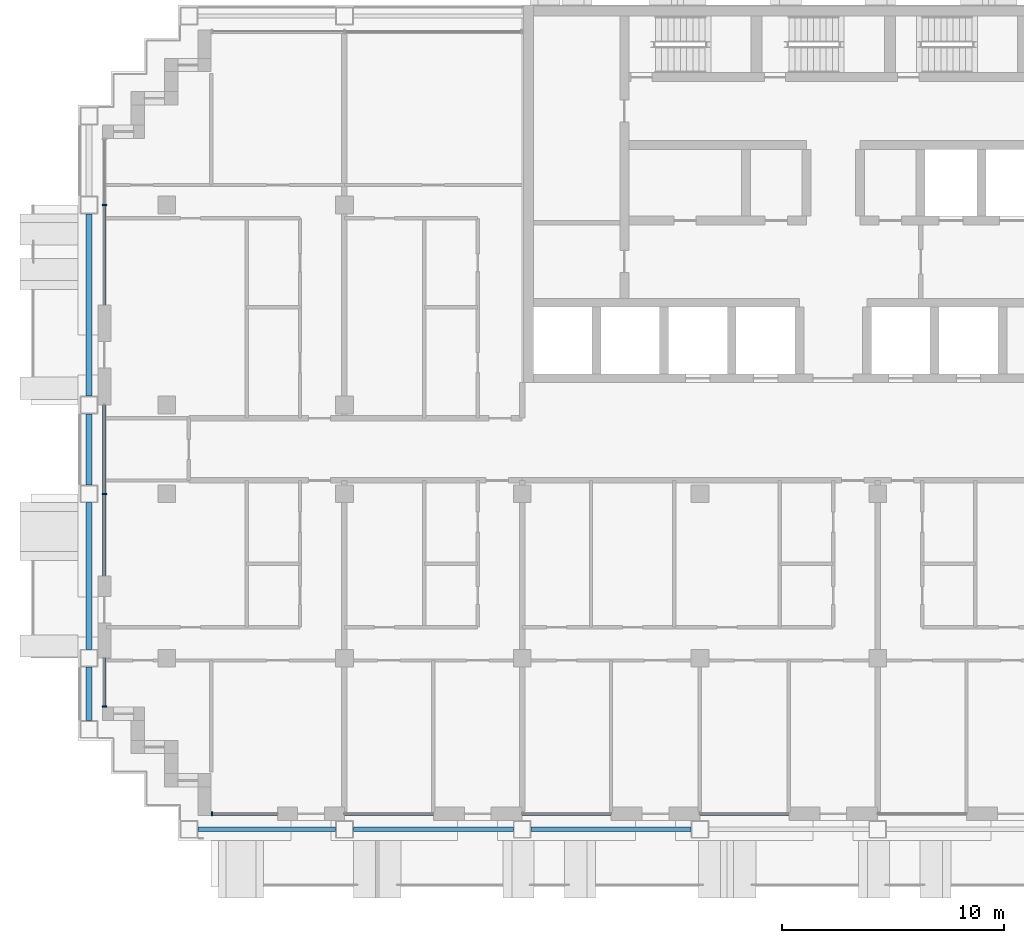
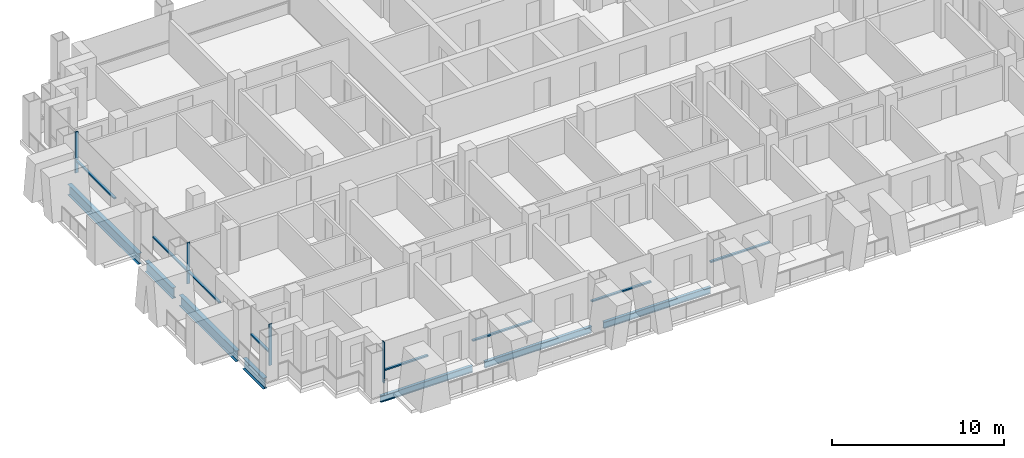
# One storey, part 2 of 18: 12 members, 7 beams, 7 elements without a shape of their own.
"""IFC4 building model written with IfcOpenShell, lengths in metres."""

from ifc_helpers import new_model, si_unit, direction, frame, origin, origin_2d, place, context, subcontext, project, spatial, rectangle, i_section, extrude, material, material_profile, profile_set, type_object, element, aggregate, save


model = new_model("IFC4")

# Units and contexts
model_context = context("Model", 3, precision=1e-05, world=origin(), true_north=direction((0.0, 1.0)))
body_context = subcontext(model_context, "Body", "Model", "MODEL_VIEW")
ifc_project = project(units=[si_unit("LENGTHUNIT", "METRE"), si_unit("AREAUNIT", "SQUARE_METRE"), si_unit("VOLUMEUNIT", "CUBIC_METRE"), si_unit("PLANEANGLEUNIT", "RADIAN"), si_unit("MASSUNIT", "GRAM", prefix="KILO")], contexts=[model_context])

# Site, building, storey
site_placement = place(None, origin())
site = spatial("IfcSite", under=ifc_project, at=site_placement, CompositionType="ELEMENT")
building_placement = place(site_placement, origin())
building = spatial("IfcBuilding", under=site, at=building_placement, Name="Vidyagriha Tower", CompositionType="ELEMENT")
storey_placement = place(building_placement, frame((0.0, 0.0, 123.0)))
storey = spatial("IfcBuildingStorey", under=building, at=storey_placement, Name="L31", CompositionType="ELEMENT", Elevation=123.0)

# Beams
ifc_material_1 = material(Name="Steel ASTM A992 Grade 50", Category="steel")
ifc_material_profile_1 = material_profile(ifc_material_1, i_section(OverallWidth=0.2666015625, OverallDepth=0.76953125, WebThickness=0.015625, FlangeThickness=0.025390625, at=origin_2d()), Name="W30X132")
ifc_profile_set_1 = profile_set([ifc_material_profile_1], Name="Steel ASTM A992 Grade 50")
beam_type_1 = type_object("IfcBeamType", Name="Cantilever edge beam W30X132", PredefinedType="SPANDREL", material=ifc_profile_set_1)
beam_1_placement = place(storey_placement, frame((-33.5, -12.199951171875, -0.664794921875), z_axis=(0.0, 1.0, 0.0), x_axis=(-1.0, 0.0, 0.0)))
element("IfcBeam", 1, at=beam_1_placement, inside=storey, type_object=beam_type_1, Name="st-beam-L31-W09", PredefinedType="SPANDREL", context=body_context, shape_type="SweptSolid", body=[
    extrude(i_section(OverallWidth=0.2666015625, OverallDepth=0.76953125, WebThickness=0.015625, FlangeThickness=0.025390625, at=origin_2d()), origin(), (0.0, 0.0, 1.0), 2.39990234375),
])
beam_2_placement = place(storey_placement, frame((-33.5, -9.0, -0.664794921875), z_axis=(0.0, 1.0, 0.0), x_axis=(-1.0, 0.0, 0.0)))
element("IfcBeam", 2, at=beam_2_placement, inside=storey, type_object=beam_type_1, Name="st-beam-L31-W10", PredefinedType="SPANDREL", context=body_context, shape_type="SweptSolid", body=[
    extrude(i_section(OverallWidth=0.2666015625, OverallDepth=0.76953125, WebThickness=0.015625, FlangeThickness=0.025390625, at=origin_2d()), origin(), (0.0, 0.0, 1.0), 6.60009765625),
])
beam_3_placement = place(storey_placement, frame((-33.5, -1.60009765625, -0.664794921875), z_axis=(0.0, 1.0, 0.0), x_axis=(-1.0, 0.0, 0.0)))
element("IfcBeam", 3, at=beam_3_placement, inside=storey, type_object=beam_type_1, Name="st-beam-L31-W11", PredefinedType="SPANDREL", context=body_context, shape_type="SweptSolid", body=[
    extrude(i_section(OverallWidth=0.2666015625, OverallDepth=0.76953125, WebThickness=0.015625, FlangeThickness=0.025390625, at=origin_2d()), origin(), (0.0, 0.0, 1.0), 3.2001953125),
])
beam_4_placement = place(storey_placement, frame((-33.5, 2.39990234375, -0.664794921875), z_axis=(0.0, 1.0, 0.0), x_axis=(-1.0, 0.0, 0.0)))
element("IfcBeam", 4, at=beam_4_placement, inside=storey, type_object=beam_type_1, Name="st-beam-L31-W12", PredefinedType="SPANDREL", context=body_context, shape_type="SweptSolid", body=[
    extrude(i_section(OverallWidth=0.2666015625, OverallDepth=0.76953125, WebThickness=0.015625, FlangeThickness=0.025390625, at=origin_2d()), origin(), (0.0, 0.0, 1.0), 8.2001953125),
])
ifc_material_2 = material(Name="Steel ASTM A992 Grade 50", Category="steel")
ifc_material_profile_2 = material_profile(ifc_material_2, i_section(OverallWidth=0.19189453125, OverallDepth=0.46240234375, WebThickness=0.010498046875, FlangeThickness=0.017578125, at=origin_2d()), Name="W18X60")
ifc_profile_set_2 = profile_set([ifc_material_profile_2], Name="Steel ASTM A992 Grade 50")
beam_type_2 = type_object("IfcBeamType", Name="Edge beam W18X60", PredefinedType="SPANDREL", material=ifc_profile_set_2)
beam_5_placement = place(storey_placement, frame((-28.60009765625, -17.10009765625, -0.51123046875), z_axis=(1.0, 0.0, 0.0), x_axis=(0.0, 1.0, 0.0)))
element("IfcBeam", 5, at=beam_5_placement, inside=storey, type_object=beam_type_2, Name="st-beam-L31-S01", PredefinedType="SPANDREL", context=body_context, shape_type="SweptSolid", body=[
    extrude(i_section(OverallWidth=0.19189453125, OverallDepth=0.46240234375, WebThickness=0.010498046875, FlangeThickness=0.017578125, at=origin_2d()), origin(), (0.0, 0.0, 1.0), 6.2001953125),
])
for number, where, z_axis, x_axis, name in (
    (6, (-21.60009765625, -17.10009765625, -0.51123046875), (1.0, 0.0, 0.0), (0.0, 1.0, 0.0), "st-beam-L31-S02"),
    (7, (-13.60009765625, -17.10009765625, -0.51123046875), (1.0, 0.0, 0.0), (0.0, 1.0, 0.0), "st-beam-L31-S03"),
):
    element("IfcBeam", number, at=place(storey_placement, frame(where, z_axis=z_axis, x_axis=x_axis)), inside=storey, type_object=beam_type_2, Name=name, PredefinedType="SPANDREL", context=body_context, shape_type="SweptSolid", body=[
        extrude(i_section(OverallWidth=0.19189453125, OverallDepth=0.46240234375, WebThickness=0.010498046875, FlangeThickness=0.017578125, at=origin_2d()), origin(), (0.0, 0.0, 1.0), 7.2001953125),
    ])

# Curtain wall, member
ifc_material_3 = material(Name="Aluminium and glass curtain wall", Category="aluminium")
curtain_wall_type = type_object("IfcCurtainWallType", Name="Dwelling skin unitised curtain wall", PredefinedType="USERDEFINED", material=ifc_material_3)
curtain_wall_1_placement = place(storey_placement, origin())
curtain_wall_1 = element("IfcCurtainWall", 8, at=curtain_wall_1_placement, inside=storey, type_object=curtain_wall_type, Name="CW1 dwelling skin", ObjectType="UNITISED", PredefinedType="USERDEFINED")
ifc_material_4 = material(Name="Aluminium black anodised", Category="aluminium")
ifc_material_profile_3 = material_profile(ifc_material_4, rectangle(XDim=0.199951171875, YDim=0.070068359375, at=origin_2d()), Name="Mullion 70x200 black aluminium")
ifc_profile_set_3 = profile_set([ifc_material_profile_3], Name="Aluminium black anodised")
member_type_1 = type_object("IfcMemberType", Name="Mullion 70x200 black aluminium", PredefinedType="MULLION", material=ifc_profile_set_3)
member_1_placement = place(storey_placement, frame((-32.800048828125, 11.0, 0.0)))
member_1 = element("IfcMember", 9, at=member_1_placement, type_object=member_type_1, Name="CW1 mullion 2", PredefinedType="MULLION", context=body_context, shape_type="SweptSolid", body=[
    extrude(rectangle(XDim=0.199951171875, YDim=0.070068359375, at=origin_2d()), origin(), (0.0, 0.0, 1.0), 2.919921875),
])

curtain_wall_2_placement = place(storey_placement, origin())
curtain_wall_2 = element("IfcCurtainWall", 10, at=curtain_wall_2_placement, inside=storey, type_object=curtain_wall_type, Name="CW1 dwelling skin", ObjectType="UNITISED", PredefinedType="USERDEFINED")
member_2_placement = place(storey_placement, frame((-32.800048828125, -2.0, 0.0)))
member_2 = element("IfcMember", 11, at=member_2_placement, type_object=member_type_1, Name="CW1 mullion 2", PredefinedType="MULLION", context=body_context, shape_type="SweptSolid", body=[
    extrude(rectangle(XDim=0.199951171875, YDim=0.070068359375, at=origin_2d()), origin(), (0.0, 0.0, 1.0), 2.919921875),
])

curtain_wall_3_placement = place(storey_placement, origin())
curtain_wall_3 = element("IfcCurtainWall", 12, at=curtain_wall_3_placement, inside=storey, type_object=curtain_wall_type, Name="CW1 dwelling skin", ObjectType="UNITISED", PredefinedType="USERDEFINED")
member_3_placement = place(storey_placement, frame((-32.800048828125, -11.56494140625, 0.0)))
member_3 = element("IfcMember", 13, at=member_3_placement, type_object=member_type_1, Name="CW1 mullion 2", PredefinedType="MULLION", context=body_context, shape_type="SweptSolid", body=[
    extrude(rectangle(XDim=0.199951171875, YDim=0.070068359375, at=origin_2d()), origin(), (0.0, 0.0, 1.0), 2.919921875),
])

curtain_wall_4_placement = place(storey_placement, origin())
curtain_wall_4 = element("IfcCurtainWall", 14, at=curtain_wall_4_placement, inside=storey, type_object=curtain_wall_type, Name="CW1 dwelling skin", ObjectType="UNITISED", PredefinedType="USERDEFINED")
member_4_placement = place(storey_placement, frame((-27.965087890625, -16.39990234375, 0.0), z_axis=(0.0, 0.0, 1.0), x_axis=(0.0, 1.0, 0.0)))
member_4 = element("IfcMember", 15, at=member_4_placement, type_object=member_type_1, Name="CW1 mullion 1", PredefinedType="MULLION", context=body_context, shape_type="SweptSolid", body=[
    extrude(rectangle(XDim=0.199951171875, YDim=0.070068359375, at=origin_2d()), origin(), (0.0, 0.0, 1.0), 2.919921875),
])

# Member
ifc_material_5 = material(Name="Aluminium black anodised", Category="aluminium")
ifc_material_profile_4 = material_profile(ifc_material_5, rectangle(XDim=0.159912109375, YDim=0.10009765625, at=origin_2d()), Name="Transom 100x160 black aluminium")
ifc_profile_set_4 = profile_set([ifc_material_profile_4], Name="Aluminium black anodised")
member_type_2 = type_object("IfcMemberType", Name="Transom 100x160 black aluminium", PredefinedType="USERDEFINED", material=ifc_profile_set_4)
member_5_placement = place(storey_placement, frame((-32.800048828125, 10.965087890625, 0.89990234375), z_axis=(0.0, -1.0, 0.0), x_axis=(1.0, 0.0, 0.0)))
member_5 = element("IfcMember", 16, at=member_5_placement, type_object=member_type_2, Name="CW1 transom 2.1", ObjectType="TRANSOM", PredefinedType="USERDEFINED", context=body_context, shape_type="SweptSolid", body=[
    extrude(rectangle(XDim=0.159912109375, YDim=0.10009765625, at=origin_2d()), origin(), (0.0, 0.0, 1.0), 4.465087890625),
])

aggregate(curtain_wall_1, [member_1, member_5])

member_6_placement = place(storey_placement, frame((-32.800048828125, 2.0, 0.89990234375), z_axis=(0.0, -1.0, 0.0), x_axis=(1.0, 0.0, 0.0)))
member_6 = element("IfcMember", 17, at=member_6_placement, type_object=member_type_2, Name="CW1 transom 1.1", ObjectType="TRANSOM", PredefinedType="USERDEFINED", context=body_context, shape_type="SweptSolid", body=[
    extrude(rectangle(XDim=0.159912109375, YDim=0.10009765625, at=origin_2d()), origin(), (0.0, 0.0, 1.0), 3.965087890625),
])

member_7_placement = place(storey_placement, frame((-32.800048828125, -2.034912109375, 0.89990234375), z_axis=(0.0, -1.0, 0.0), x_axis=(1.0, 0.0, 0.0)))
member_7 = element("IfcMember", 18, at=member_7_placement, type_object=member_type_2, Name="CW1 transom 2.1", ObjectType="TRANSOM", PredefinedType="USERDEFINED", context=body_context, shape_type="SweptSolid", body=[
    extrude(rectangle(XDim=0.159912109375, YDim=0.10009765625, at=origin_2d()), origin(), (0.0, 0.0, 1.0), 3.6650390625),
])

aggregate(curtain_wall_2, [member_2, member_6, member_7])

member_8_placement = place(storey_placement, frame((-32.800048828125, -9.39990234375, 0.89990234375), z_axis=(0.0, -1.0, 0.0), x_axis=(1.0, 0.0, 0.0)))
member_8 = element("IfcMember", 19, at=member_8_placement, type_object=member_type_2, Name="CW1 transom 1.1", ObjectType="TRANSOM", PredefinedType="USERDEFINED", context=body_context, shape_type="SweptSolid", body=[
    extrude(rectangle(XDim=0.159912109375, YDim=0.10009765625, at=origin_2d()), origin(), (0.0, 0.0, 1.0), 2.130126953125),
])

aggregate(curtain_wall_3, [member_3, member_8])

member_9_placement = place(storey_placement, frame((-27.929931640625, -16.39990234375, 0.89990234375), z_axis=(1.0, 0.0, 0.0), x_axis=(0.0, 1.0, 0.0)))
member_9 = element("IfcMember", 20, at=member_9_placement, type_object=member_type_2, Name="CW1 transom 1.1", ObjectType="TRANSOM", PredefinedType="USERDEFINED", context=body_context, shape_type="SweptSolid", body=[
    extrude(rectangle(XDim=0.159912109375, YDim=0.10009765625, at=origin_2d()), origin(), (0.0, 0.0, 1.0), 2.929931640625),
])

aggregate(curtain_wall_4, [member_4, member_9])

# Curtain wall, member
curtain_wall_5_placement = place(storey_placement, origin())
curtain_wall_5 = element("IfcCurtainWall", 21, at=curtain_wall_5_placement, inside=storey, type_object=curtain_wall_type, Name="CW1 dwelling skin", ObjectType="UNITISED", PredefinedType="USERDEFINED")
member_10_placement = place(storey_placement, frame((-22.0, -16.39990234375, 0.89990234375), z_axis=(1.0, 0.0, 0.0), x_axis=(0.0, 1.0, 0.0)))
member_10 = element("IfcMember", 22, at=member_10_placement, type_object=member_type_2, Name="CW1 transom 1.1", ObjectType="TRANSOM", PredefinedType="USERDEFINED", context=body_context, shape_type="SweptSolid", body=[
    extrude(rectangle(XDim=0.159912109375, YDim=0.10009765625, at=origin_2d()), origin(), (0.0, 0.0, 1.0), 4.0),
])
aggregate(curtain_wall_5, [member_10])

curtain_wall_6_placement = place(storey_placement, origin())
curtain_wall_6 = element("IfcCurtainWall", 23, at=curtain_wall_6_placement, inside=storey, type_object=curtain_wall_type, Name="CW1 dwelling skin", ObjectType="UNITISED", PredefinedType="USERDEFINED")
member_11_placement = place(storey_placement, frame((-14.0, -16.39990234375, 0.89990234375), z_axis=(1.0, 0.0, 0.0), x_axis=(0.0, 1.0, 0.0)))
member_11 = element("IfcMember", 24, at=member_11_placement, type_object=member_type_2, Name="CW1 transom 1.1", ObjectType="TRANSOM", PredefinedType="USERDEFINED", context=body_context, shape_type="SweptSolid", body=[
    extrude(rectangle(XDim=0.159912109375, YDim=0.10009765625, at=origin_2d()), origin(), (0.0, 0.0, 1.0), 4.0),
])
aggregate(curtain_wall_6, [member_11])

curtain_wall_7_placement = place(storey_placement, origin())
curtain_wall_7 = element("IfcCurtainWall", 25, at=curtain_wall_7_placement, inside=storey, type_object=curtain_wall_type, Name="CW1 dwelling skin", ObjectType="UNITISED", PredefinedType="USERDEFINED")
member_12_placement = place(storey_placement, frame((-6.0, -16.39990234375, 0.89990234375), z_axis=(1.0, 0.0, 0.0), x_axis=(0.0, 1.0, 0.0)))
member_12 = element("IfcMember", 26, at=member_12_placement, type_object=member_type_2, Name="CW1 transom 1.1", ObjectType="TRANSOM", PredefinedType="USERDEFINED", context=body_context, shape_type="SweptSolid", body=[
    extrude(rectangle(XDim=0.159912109375, YDim=0.10009765625, at=origin_2d()), origin(), (0.0, 0.0, 1.0), 4.0),
])
aggregate(curtain_wall_7, [member_12])

save(model, "model.ifc")
